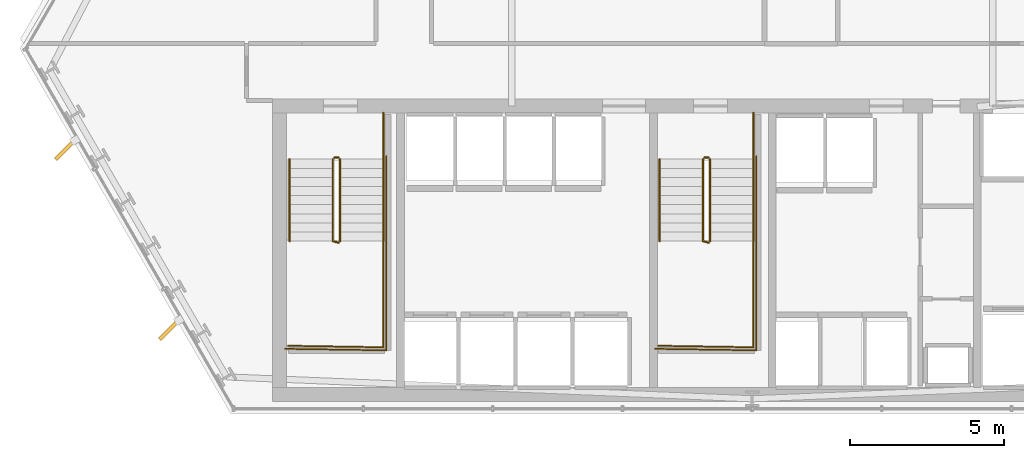
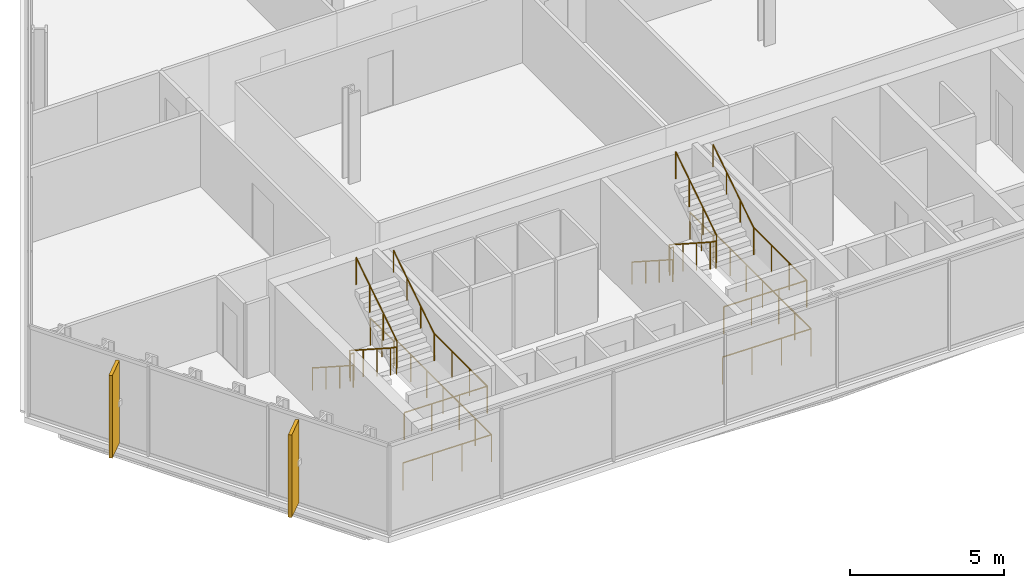
# One storey, part 28 of 31: 16 railings, 2 shading devices.
"""IFC4 building model written with IfcOpenShell, lengths in metres."""

import ifcopenshell
import ifcopenshell.guid

model = None  # the IFC model being written
_history = None  # IfcOwnerHistory: only IFC2X3 demands one
_inside = {}  # id of a spatial element -> (the spatial element, [elements in it])
_under = {}  # id of a project, library or spatial element -> (it, [spatial elements below it])
_declared = {}  # id of a project -> (the project, [libraries it declares])
_typed = {}  # id of a type object -> (the type object, [elements of that type])
_made_of = {}  # id of a material, layer set ... -> (it, [elements and type objects made of it])


def new_model(schema):
    """Start an empty IFC model of exactly this schema.

    Asked for "IFC4X3", IfcOpenShell would pick the latest addendum, in which some entities
    have other attributes; the version numbers below select the first issue.
    IFC2X3 requires an IfcOwnerHistory on every rooted entity: one is made here for all.
    """
    global model, _history
    if schema == "IFC4X3":
        model = ifcopenshell.file(schema_version=(4, 3, 0, 0))
    else:
        model = ifcopenshell.file(schema=schema)
    _inside.clear()
    _under.clear()
    _declared.clear()
    _typed.clear()
    _made_of.clear()
    _history = None
    if model.schema == "IFC2X3":
        org = make("IfcOrganization", Name="unknown")
        user = make(
            "IfcPersonAndOrganization",
            ThePerson=make("IfcPerson", FamilyName="unknown"),
            TheOrganization=org,
        )
        app = make(
            "IfcApplication",
            ApplicationDeveloper=org,
            Version="unknown",
            ApplicationFullName="unknown",
            ApplicationIdentifier="unknown",
        )
        _history = make(
            "IfcOwnerHistory",
            OwningUser=user,
            OwningApplication=app,
            ChangeAction="ADDED",
            CreationDate=0,
        )
    return model


def make(cls, **values):
    """One entity of the class cls with the attributes given. An attribute that is None is left unset."""
    return model.create_entity(
        cls, **{name: value for name, value in values.items() if value is not None}
    )


def rooted(cls, **values):
    """An entity with a GlobalId (a new one), such as an element, a storey or a relation."""
    return make(cls, GlobalId=ifcopenshell.guid.new(), OwnerHistory=_history, **values)


def si_unit(unit_type, name, prefix=None):
    """IfcSIUnit, for example si_unit("LENGTHUNIT", "METRE", prefix="MILLI")."""
    return make("IfcSIUnit", UnitType=unit_type, Prefix=prefix, Name=name)


def assignment(units):
    """IfcUnitAssignment: the units of a project."""
    return None if units is None else make("IfcUnitAssignment", Units=units)


def point(xyz):
    """IfcCartesianPoint."""
    return None if xyz is None else make("IfcCartesianPoint", Coordinates=xyz)


def direction(xyz):
    """IfcDirection."""
    return None if xyz is None else make("IfcDirection", DirectionRatios=xyz)


def frame(location, z_axis=None, x_axis=None):
    """IfcAxis2Placement3D, a coordinate frame: its origin and axes. An axis left out is left unset."""
    return make(
        "IfcAxis2Placement3D",
        Location=point(location),
        Axis=direction(z_axis),
        RefDirection=direction(x_axis),
    )


def frame_2d(location, x_axis=None):
    """IfcAxis2Placement2D, a coordinate frame in the plane: its origin and x axis."""
    return make(
        "IfcAxis2Placement2D", Location=point(location), RefDirection=direction(x_axis)
    )


def origin():
    """The frame at (0, 0, 0) with its axes left unset."""
    return frame((0.0, 0.0, 0.0))


def origin_2d():
    """The frame at (0, 0) in the plane with its x axis left unset."""
    return frame_2d((0.0, 0.0))


def place(relative_to, where):
    """IfcLocalPlacement: puts the frame where relative to a parent placement (None: the world)."""
    return make(
        "IfcLocalPlacement", PlacementRelTo=relative_to, RelativePlacement=where
    )


def context(
    kind, dimensions, precision=None, world=None, true_north=None, identifier=None
):
    """IfcGeometricRepresentationContext, for example the 3D "Model" context."""
    return make(
        "IfcGeometricRepresentationContext",
        ContextIdentifier=identifier,
        ContextType=kind,
        CoordinateSpaceDimension=dimensions,
        Precision=precision,
        WorldCoordinateSystem=world,
        TrueNorth=true_north,
    )


def subcontext(parent, identifier, kind, view, scale=None):
    """IfcGeometricRepresentationSubContext, for example "Body" below "Model"."""
    return make(
        "IfcGeometricRepresentationSubContext",
        ContextIdentifier=identifier,
        ContextType=kind,
        ParentContext=parent,
        TargetScale=scale,
        TargetView=view,
    )


def project(units=None, contexts=None):
    """IfcProject with its units and contexts."""
    return rooted(
        "IfcProject",
        Name="project",
        RepresentationContexts=contexts,
        UnitsInContext=assignment(units),
    )


def spatial(cls, under=None, at=None, **own):
    """A site, building, storey or space (cls), placed at a placement, below another one or the project."""
    s = rooted(cls, ObjectPlacement=at, **own)
    if under is not None:
        _under.setdefault(under.id(), (under, []))[1].append(s)
    return s


def profile(cls, at=None, kind="AREA", **sizes):
    """A parametric profile (cls). Its sizes go by their IFC names, for example OverallWidth=200.0."""
    return make(cls, ProfileType=kind, Position=at, **sizes)


def rectangle(**sizes):
    """IfcRectangleProfileDef."""
    return profile("IfcRectangleProfileDef", **sizes)


def circle(**sizes):
    """IfcCircleProfileDef."""
    return profile("IfcCircleProfileDef", **sizes)


def extrude(swept, where, along, depth):
    """IfcExtrudedAreaSolid: the profile swept, set in the frame where, extruded along a direction by depth."""
    return make(
        "IfcExtrudedAreaSolid",
        SweptArea=swept,
        Position=where,
        ExtrudedDirection=direction(along),
        Depth=depth,
    )


def shape(context_of_items, identifier, shape_type, items):
    """IfcShapeRepresentation: the items that make up one representation, for example the "Body"."""
    return make(
        "IfcShapeRepresentation",
        ContextOfItems=context_of_items,
        RepresentationIdentifier=identifier,
        RepresentationType=shape_type,
        Items=items,
    )


def material(Name=None, Category=None):
    """IfcMaterial."""
    return make("IfcMaterial", Name=Name, Category=Category)


def layer(
    of_material, thickness, ventilated=None, Name=None, Category=None, Priority=None
):
    """IfcMaterialLayer: one layer of a wall or slab, of a material (None: an air gap)."""
    return make(
        "IfcMaterialLayer",
        Material=of_material,
        LayerThickness=thickness,
        IsVentilated=ventilated,
        Name=Name,
        Category=Category,
        Priority=Priority,
    )


def layer_set(layers, Name=None):
    """IfcMaterialLayerSet."""
    return make("IfcMaterialLayerSet", MaterialLayers=layers, LayerSetName=Name)


def made_of(thing, what):
    """Note that an element or type object is made of a material, layer set ...; save() writes the relation."""
    if what is not None:
        _made_of.setdefault(what.id(), (what, []))[1].append(thing)
    return thing


def type_object(cls, material=None, **own):
    """A type object (cls), such as IfcWallType, which elements share."""
    return made_of(rooted(cls, **own), material)


def element(
    cls,
    number,
    at=None,
    inside=None,
    cuts=None,
    type_object=None,
    material=None,
    context=None,
    identifier="Body",
    shape_type=None,
    held_by="IfcProductDefinitionShape",
    body=None,
    shapes=None,
    **own,
):
    """One element of the class cls, such as IfcWall. Its Tag is "e" and its number.

    at: its placement. inside: the storey or other place that contains it. cuts: it is an
    opening in that element (IfcRelVoidsElement). A single representation is given by context,
    identifier, shape_type and body (its items); several are given by shapes. held_by: the class
    of the entity that holds the representations. save() writes the other relations.
    """
    e = rooted(cls, Tag="e%d" % number, ObjectPlacement=at, **own)
    if body is not None:
        shapes = [shape(context, identifier, shape_type, body)]
    if shapes is not None:
        e.Representation = make(held_by, Representations=shapes)
    if inside is not None:
        _inside.setdefault(inside.id(), (inside, []))[1].append(e)
    if cuts is not None:
        rooted(
            "IfcRelVoidsElement", RelatingBuildingElement=cuts, RelatedOpeningElement=e
        )
    if type_object is not None:
        _typed.setdefault(type_object.id(), (type_object, []))[1].append(e)
    return made_of(e, material)


def aggregate(whole, parts):
    """IfcRelAggregates: a whole, such as a stair, and the parts it consists of."""
    return rooted("IfcRelAggregates", RelatingObject=whole, RelatedObjects=parts)


def save(model, path):
    """Write the relations noted so far, then the file.

    IfcRelAggregates (storeys below a building ...), IfcRelContainedInSpatialStructure (elements
    in a storey), IfcRelDefinesByType, IfcRelAssociatesMaterial and IfcRelDeclares: one each for
    every whole, place, type object, material and project.
    """
    for whole, parts in _under.values():
        aggregate(whole, parts)
    for where, things in _inside.values():
        rooted(
            "IfcRelContainedInSpatialStructure",
            RelatedElements=things,
            RelatingStructure=where,
        )
    for kind, things in _typed.values():
        rooted("IfcRelDefinesByType", RelatedObjects=things, RelatingType=kind)
    for what, things in _made_of.values():
        rooted("IfcRelAssociatesMaterial", RelatedObjects=things, RelatingMaterial=what)
    for by, libraries in _declared.values():
        rooted("IfcRelDeclares", RelatingContext=by, RelatedDefinitions=libraries)
    model.write(path)


model = new_model("IFC4")

# Units and contexts
model_context = context("Model", 3, precision=1e-05, world=origin(), true_north=direction((0.0, 1.0)))
body_context = subcontext(model_context, "Body", "Model", "MODEL_VIEW")
ifc_project = project(units=[si_unit("LENGTHUNIT", "METRE"), si_unit("AREAUNIT", "SQUARE_METRE"), si_unit("VOLUMEUNIT", "CUBIC_METRE"), si_unit("PLANEANGLEUNIT", "RADIAN"), si_unit("MASSUNIT", "GRAM", prefix="KILO")], contexts=[model_context])

# Site, building, storey
site_placement = place(None, origin())
site = spatial("IfcSite", under=ifc_project, at=site_placement, CompositionType="ELEMENT")
building_placement = place(site_placement, origin())
building = spatial("IfcBuilding", under=site, at=building_placement, Name="Ndaravel Arena Tower", CompositionType="ELEMENT")
storey_placement = place(building_placement, frame((0.0, 0.0, 100.60009765625)))
storey = spatial("IfcBuildingStorey", under=building, at=storey_placement, Name="L23", CompositionType="ELEMENT", Elevation=100.60009765625)

# Railings
ifc_material_1 = material(Name="Steel S355", Category="steel")
ifc_layer_1 = layer(ifc_material_1, 0.06005859375)
ifc_layer_set_1 = layer_set([ifc_layer_1], Name="Steel S355")
railing_type_1 = type_object("IfcRailingType", Name="RAIL-STAIR-GD1100", PredefinedType="GUARDRAIL", material=ifc_layer_set_1)
railing_1_placement = place(storey_placement, frame((28.39990234375, 13.25, 0.18994140625)))
element("IfcRailing", 1, at=railing_1_placement, inside=storey, type_object=railing_type_1, Name="L23 ST-1 stair guard 1", PredefinedType="GUARDRAIL", context=body_context, shape_type="SweptSolid", body=[
    extrude(circle(Radius=0.02392578125, at=origin_2d()), frame((0.0, 0.0, 1.076171875), z_axis=(0.0, -0.840723540582, 0.54146461409), x_axis=(1.0, 0.0, 0.0)), (0.0, 0.0, 1.0), 3.157958984375),
    extrude(circle(Radius=0.02392578125, at=origin_2d()), frame((0.0, -2.655029296875, 2.7861328125), z_axis=(0.967074537263, -0.25449329928, 0.0), x_axis=(0.25449329928, 0.967074537263, 0.0)), (0.0, 0.0, 1.0), 0.19677734375),
    extrude(circle(Radius=0.02099609375, at=origin_2d()), origin(), (0.0, 0.0, 1.0), 1.052001953125),
    extrude(circle(Radius=0.02099609375, at=origin_2d()), frame((0.0, -0.885009765625, 0.570068359375)), (0.0, 0.0, 1.0), 1.052001953125),
    extrude(circle(Radius=0.02099609375, at=origin_2d()), frame((0.0, -1.77001953125, 1.139892578125)), (0.0, 0.0, 1.0), 1.052001953125),
    extrude(circle(Radius=0.02099609375, at=origin_2d()), frame((0.0, -2.655029296875, 1.7099609375)), (0.0, 0.0, 1.0), 1.052001953125),
    extrude(circle(Radius=0.02099609375, at=origin_2d()), frame((0.190185546875, -2.705078125, 1.7099609375)), (0.0, 0.0, 1.0), 1.052001953125),
])
railing_2_placement = place(storey_placement, frame((30.0400390625, 10.594970703125, 1.89990234375)))
element("IfcRailing", 2, at=railing_2_placement, inside=storey, type_object=railing_type_1, Name="L23 ST-1 stair guard 2", PredefinedType="GUARDRAIL", context=body_context, shape_type="SweptSolid", body=[
    extrude(circle(Radius=0.02392578125, at=origin_2d()), frame((0.0, 0.0, 1.076171875), z_axis=(0.0, -1.0, 0.0), x_axis=(1.0, 0.0, 0.0)), (0.0, 0.0, 1.0), 3.445068359375),
    extrude(circle(Radius=0.02392578125, at=origin_2d()), frame((0.0, -3.445068359375, 1.076171875), z_axis=(-0.999868861343, 0.016194447071, 0.0), x_axis=(-0.016194447071, -0.999868861343, 0.0)), (0.0, 0.0, 1.0), 3.090576171875),
    extrude(circle(Radius=0.02099609375, at=origin_2d()), origin(), (0.0, 0.0, 1.0), 1.052001953125),
    extrude(circle(Radius=0.02099609375, at=origin_2d()), frame((0.0, -1.1484375, 0.0)), (0.0, 0.0, 1.0), 1.052001953125),
    extrude(circle(Radius=0.02099609375, at=origin_2d()), frame((0.0, -2.296630859375, 0.0)), (0.0, 0.0, 1.0), 1.052001953125),
    extrude(circle(Radius=0.02099609375, at=origin_2d()), frame((0.0, -3.445068359375, 0.0)), (0.0, 0.0, 1.0), 1.052001953125),
    extrude(circle(Radius=0.02099609375, at=origin_2d()), frame((-1.030029296875, -3.428466796875, 0.0)), (0.0, 0.0, 1.0), 1.052001953125),
    extrude(circle(Radius=0.02099609375, at=origin_2d()), frame((-2.06005859375, -3.41162109375, 0.0)), (0.0, 0.0, 1.0), 1.052001953125),
    extrude(circle(Radius=0.02099609375, at=origin_2d()), frame((-3.090087890625, -3.39501953125, 0.0)), (0.0, 0.0, 1.0), 1.052001953125),
])
railing_3_placement = place(storey_placement, frame((28.639892578125, 10.594970703125, 2.08984375)))
element("IfcRailing", 3, at=railing_3_placement, inside=storey, type_object=railing_type_1, Name="L23 ST-1 stair guard 3", PredefinedType="GUARDRAIL", context=body_context, shape_type="SweptSolid", body=[
    extrude(circle(Radius=0.02392578125, at=origin_2d()), frame((0.0, 0.0, 1.076171875), z_axis=(0.0, 0.840723540582, 0.54146461409), x_axis=(-1.0, 0.0, 0.0)), (0.0, 0.0, 1.0), 3.157958984375),
    extrude(circle(Radius=0.02099609375, at=origin_2d()), origin(), (0.0, 0.0, 1.0), 1.052001953125),
    extrude(circle(Radius=0.02099609375, at=origin_2d()), frame((0.0, 0.885009765625, 0.570068359375)), (0.0, 0.0, 1.0), 1.052001953125),
    extrude(circle(Radius=0.02099609375, at=origin_2d()), frame((0.0, 1.77001953125, 1.139892578125)), (0.0, 0.0, 1.0), 1.052001953125),
    extrude(circle(Radius=0.02099609375, at=origin_2d()), frame((0.0, 2.655029296875, 1.7099609375)), (0.0, 0.0, 1.0), 1.052001953125),
])
railing_4_placement = place(storey_placement, frame((28.449951171875, 13.300048828125, 0.0)))
element("IfcRailing", 4, at=railing_4_placement, inside=storey, type_object=railing_type_1, Name="L23 ST-1 stair guard 4", PredefinedType="GUARDRAIL", context=body_context, shape_type="SweptSolid", body=[
    extrude(circle(Radius=0.02392578125, at=origin_2d()), frame((0.0, 0.0, 1.076171875), z_axis=(1.0, 0.0, 0.0), x_axis=(0.0, 1.0, 0.0)), (0.0, 0.0, 1.0), 0.14013671875),
    extrude(circle(Radius=0.02099609375, at=origin_2d()), origin(), (0.0, 0.0, 1.0), 1.052001953125),
    extrude(circle(Radius=0.02099609375, at=origin_2d()), frame((0.14013671875, 0.0, 0.0)), (0.0, 0.0, 1.0), 1.052001953125),
])
railing_5_placement = place(storey_placement, frame((30.0400390625, 14.75, 0.0)))
element("IfcRailing", 5, at=railing_5_placement, inside=storey, type_object=railing_type_1, Name="L23 ST-1 stair guard 5", PredefinedType="GUARDRAIL", context=body_context, shape_type="SweptSolid", body=[
    extrude(circle(Radius=0.02392578125, at=origin_2d()), frame((0.0, 0.0, 1.076171875), z_axis=(0.0, -1.0, 0.0), x_axis=(1.0, 0.0, 0.0)), (0.0, 0.0, 1.0), 1.5),
    extrude(circle(Radius=0.02099609375, at=origin_2d()), origin(), (0.0, 0.0, 1.0), 1.052001953125),
    extrude(circle(Radius=0.02099609375, at=origin_2d()), frame((0.0, -0.75, 0.0)), (0.0, 0.0, 1.0), 1.052001953125),
    extrude(circle(Radius=0.02099609375, at=origin_2d()), frame((0.0, -1.5, 0.0)), (0.0, 0.0, 1.0), 1.052001953125),
])
railing_6_placement = place(storey_placement, frame((30.139892578125, 13.35009765625, 0.0)))
element("IfcRailing", 6, at=railing_6_placement, inside=storey, type_object=railing_type_1, Name="L23 ST-1 stair guard 6", PredefinedType="GUARDRAIL", context=body_context, shape_type="SweptSolid", body=[
    extrude(circle(Radius=0.02392578125, at=origin_2d()), frame((0.0, 0.0, 1.076171875), z_axis=(0.0, -1.0, 0.0), x_axis=(1.0, 0.0, 0.0)), (0.0, 0.0, 1.0), 6.300048828125),
    extrude(circle(Radius=0.02392578125, at=origin_2d()), frame((0.0, -6.300048828125, 1.076171875), z_axis=(-0.999884296952, 0.015211597839, 0.0), x_axis=(-0.015211597839, -0.999884296952, 0.0)), (0.0, 0.0, 1.0), 3.290283203125),
    extrude(circle(Radius=0.02099609375, at=origin_2d()), origin(), (0.0, 0.0, 1.0), 1.052001953125),
    extrude(circle(Radius=0.02099609375, at=origin_2d()), frame((0.0, -1.050048828125, 0.0)), (0.0, 0.0, 1.0), 1.052001953125),
    extrude(circle(Radius=0.02099609375, at=origin_2d()), frame((0.0, -2.10009765625, 0.0)), (0.0, 0.0, 1.0), 1.052001953125),
    extrude(circle(Radius=0.02099609375, at=origin_2d()), frame((0.0, -3.14990234375, 0.0)), (0.0, 0.0, 1.0), 1.052001953125),
    extrude(circle(Radius=0.02099609375, at=origin_2d()), frame((0.0, -4.199951171875, 0.0)), (0.0, 0.0, 1.0), 1.052001953125),
    extrude(circle(Radius=0.02099609375, at=origin_2d()), frame((0.0, -5.25, 0.0)), (0.0, 0.0, 1.0), 1.052001953125),
    extrude(circle(Radius=0.02099609375, at=origin_2d()), frame((0.0, -6.300048828125, 0.0)), (0.0, 0.0, 1.0), 1.052001953125),
    extrude(circle(Radius=0.02099609375, at=origin_2d()), frame((-1.0966796875, -6.283447265625, 0.0)), (0.0, 0.0, 1.0), 1.052001953125),
    extrude(circle(Radius=0.02099609375, at=origin_2d()), frame((-2.193115234375, -6.2666015625, 0.0)), (0.0, 0.0, 1.0), 1.052001953125),
    extrude(circle(Radius=0.02099609375, at=origin_2d()), frame((-3.289794921875, -6.25, 0.0)), (0.0, 0.0, 1.0), 1.052001953125),
])
railing_7_placement = place(storey_placement, frame((40.39990234375, 13.25, 0.18994140625)))
element("IfcRailing", 7, at=railing_7_placement, inside=storey, type_object=railing_type_1, Name="L23 ST-2 stair guard 1", PredefinedType="GUARDRAIL", context=body_context, shape_type="SweptSolid", body=[
    extrude(circle(Radius=0.02392578125, at=origin_2d()), frame((0.0, 0.0, 1.076171875), z_axis=(0.0, -0.840723540582, 0.54146461409), x_axis=(1.0, 0.0, 0.0)), (0.0, 0.0, 1.0), 3.157958984375),
    extrude(circle(Radius=0.02392578125, at=origin_2d()), frame((0.0, -2.655029296875, 2.7861328125), z_axis=(0.967074537263, -0.25449329928, 0.0), x_axis=(0.25449329928, 0.967074537263, 0.0)), (0.0, 0.0, 1.0), 0.19677734375),
    extrude(circle(Radius=0.02099609375, at=origin_2d()), origin(), (0.0, 0.0, 1.0), 1.052001953125),
    extrude(circle(Radius=0.02099609375, at=origin_2d()), frame((0.0, -0.885009765625, 0.570068359375)), (0.0, 0.0, 1.0), 1.052001953125),
    extrude(circle(Radius=0.02099609375, at=origin_2d()), frame((0.0, -1.77001953125, 1.139892578125)), (0.0, 0.0, 1.0), 1.052001953125),
    extrude(circle(Radius=0.02099609375, at=origin_2d()), frame((0.0, -2.655029296875, 1.7099609375)), (0.0, 0.0, 1.0), 1.052001953125),
    extrude(circle(Radius=0.02099609375, at=origin_2d()), frame((0.190185546875, -2.705078125, 1.7099609375)), (0.0, 0.0, 1.0), 1.052001953125),
])
railing_8_placement = place(storey_placement, frame((42.0400390625, 10.594970703125, 1.89990234375)))
element("IfcRailing", 8, at=railing_8_placement, inside=storey, type_object=railing_type_1, Name="L23 ST-2 stair guard 2", PredefinedType="GUARDRAIL", context=body_context, shape_type="SweptSolid", body=[
    extrude(circle(Radius=0.02392578125, at=origin_2d()), frame((0.0, 0.0, 1.076171875), z_axis=(0.0, -1.0, 0.0), x_axis=(1.0, 0.0, 0.0)), (0.0, 0.0, 1.0), 3.445068359375),
    extrude(circle(Radius=0.02392578125, at=origin_2d()), frame((0.0, -3.445068359375, 1.076171875), z_axis=(-0.999868861343, 0.016194447071, 0.0), x_axis=(-0.016194447071, -0.999868861343, 0.0)), (0.0, 0.0, 1.0), 3.090576171875),
    extrude(circle(Radius=0.02099609375, at=origin_2d()), origin(), (0.0, 0.0, 1.0), 1.052001953125),
    extrude(circle(Radius=0.02099609375, at=origin_2d()), frame((0.0, -1.1484375, 0.0)), (0.0, 0.0, 1.0), 1.052001953125),
    extrude(circle(Radius=0.02099609375, at=origin_2d()), frame((0.0, -2.296630859375, 0.0)), (0.0, 0.0, 1.0), 1.052001953125),
    extrude(circle(Radius=0.02099609375, at=origin_2d()), frame((0.0, -3.445068359375, 0.0)), (0.0, 0.0, 1.0), 1.052001953125),
    extrude(circle(Radius=0.02099609375, at=origin_2d()), frame((-1.030029296875, -3.428466796875, 0.0)), (0.0, 0.0, 1.0), 1.052001953125),
    extrude(circle(Radius=0.02099609375, at=origin_2d()), frame((-2.06005859375, -3.41162109375, 0.0)), (0.0, 0.0, 1.0), 1.052001953125),
    extrude(circle(Radius=0.02099609375, at=origin_2d()), frame((-3.090087890625, -3.39501953125, 0.0)), (0.0, 0.0, 1.0), 1.052001953125),
])
railing_9_placement = place(storey_placement, frame((40.639892578125, 10.594970703125, 2.08984375)))
element("IfcRailing", 9, at=railing_9_placement, inside=storey, type_object=railing_type_1, Name="L23 ST-2 stair guard 3", PredefinedType="GUARDRAIL", context=body_context, shape_type="SweptSolid", body=[
    extrude(circle(Radius=0.02392578125, at=origin_2d()), frame((0.0, 0.0, 1.076171875), z_axis=(0.0, 0.840723540582, 0.54146461409), x_axis=(-1.0, 0.0, 0.0)), (0.0, 0.0, 1.0), 3.157958984375),
    extrude(circle(Radius=0.02099609375, at=origin_2d()), origin(), (0.0, 0.0, 1.0), 1.052001953125),
    extrude(circle(Radius=0.02099609375, at=origin_2d()), frame((0.0, 0.885009765625, 0.570068359375)), (0.0, 0.0, 1.0), 1.052001953125),
    extrude(circle(Radius=0.02099609375, at=origin_2d()), frame((0.0, 1.77001953125, 1.139892578125)), (0.0, 0.0, 1.0), 1.052001953125),
    extrude(circle(Radius=0.02099609375, at=origin_2d()), frame((0.0, 2.655029296875, 1.7099609375)), (0.0, 0.0, 1.0), 1.052001953125),
])
railing_10_placement = place(storey_placement, frame((40.449951171875, 13.300048828125, 0.0)))
element("IfcRailing", 10, at=railing_10_placement, inside=storey, type_object=railing_type_1, Name="L23 ST-2 stair guard 4", PredefinedType="GUARDRAIL", context=body_context, shape_type="SweptSolid", body=[
    extrude(circle(Radius=0.02392578125, at=origin_2d()), frame((0.0, 0.0, 1.076171875), z_axis=(1.0, 0.0, 0.0), x_axis=(0.0, 1.0, 0.0)), (0.0, 0.0, 1.0), 0.14013671875),
    extrude(circle(Radius=0.02099609375, at=origin_2d()), origin(), (0.0, 0.0, 1.0), 1.052001953125),
    extrude(circle(Radius=0.02099609375, at=origin_2d()), frame((0.14013671875, 0.0, 0.0)), (0.0, 0.0, 1.0), 1.052001953125),
])
railing_11_placement = place(storey_placement, frame((42.0400390625, 14.75, 0.0)))
element("IfcRailing", 11, at=railing_11_placement, inside=storey, type_object=railing_type_1, Name="L23 ST-2 stair guard 5", PredefinedType="GUARDRAIL", context=body_context, shape_type="SweptSolid", body=[
    extrude(circle(Radius=0.02392578125, at=origin_2d()), frame((0.0, 0.0, 1.076171875), z_axis=(0.0, -1.0, 0.0), x_axis=(1.0, 0.0, 0.0)), (0.0, 0.0, 1.0), 1.5),
    extrude(circle(Radius=0.02099609375, at=origin_2d()), origin(), (0.0, 0.0, 1.0), 1.052001953125),
    extrude(circle(Radius=0.02099609375, at=origin_2d()), frame((0.0, -0.75, 0.0)), (0.0, 0.0, 1.0), 1.052001953125),
    extrude(circle(Radius=0.02099609375, at=origin_2d()), frame((0.0, -1.5, 0.0)), (0.0, 0.0, 1.0), 1.052001953125),
])
railing_12_placement = place(storey_placement, frame((42.139892578125, 13.35009765625, 0.0)))
element("IfcRailing", 12, at=railing_12_placement, inside=storey, type_object=railing_type_1, Name="L23 ST-2 stair guard 6", PredefinedType="GUARDRAIL", context=body_context, shape_type="SweptSolid", body=[
    extrude(circle(Radius=0.02392578125, at=origin_2d()), frame((0.0, 0.0, 1.076171875), z_axis=(0.0, -1.0, 0.0), x_axis=(1.0, 0.0, 0.0)), (0.0, 0.0, 1.0), 6.300048828125),
    extrude(circle(Radius=0.02392578125, at=origin_2d()), frame((0.0, -6.300048828125, 1.076171875), z_axis=(-0.999884296952, 0.015211597839, 0.0), x_axis=(-0.015211597839, -0.999884296952, 0.0)), (0.0, 0.0, 1.0), 3.290283203125),
    extrude(circle(Radius=0.02099609375, at=origin_2d()), origin(), (0.0, 0.0, 1.0), 1.052001953125),
    extrude(circle(Radius=0.02099609375, at=origin_2d()), frame((0.0, -1.050048828125, 0.0)), (0.0, 0.0, 1.0), 1.052001953125),
    extrude(circle(Radius=0.02099609375, at=origin_2d()), frame((0.0, -2.10009765625, 0.0)), (0.0, 0.0, 1.0), 1.052001953125),
    extrude(circle(Radius=0.02099609375, at=origin_2d()), frame((0.0, -3.14990234375, 0.0)), (0.0, 0.0, 1.0), 1.052001953125),
    extrude(circle(Radius=0.02099609375, at=origin_2d()), frame((0.0, -4.199951171875, 0.0)), (0.0, 0.0, 1.0), 1.052001953125),
    extrude(circle(Radius=0.02099609375, at=origin_2d()), frame((0.0, -5.25, 0.0)), (0.0, 0.0, 1.0), 1.052001953125),
    extrude(circle(Radius=0.02099609375, at=origin_2d()), frame((0.0, -6.300048828125, 0.0)), (0.0, 0.0, 1.0), 1.052001953125),
    extrude(circle(Radius=0.02099609375, at=origin_2d()), frame((-1.0966796875, -6.283447265625, 0.0)), (0.0, 0.0, 1.0), 1.052001953125),
    extrude(circle(Radius=0.02099609375, at=origin_2d()), frame((-2.193115234375, -6.2666015625, 0.0)), (0.0, 0.0, 1.0), 1.052001953125),
    extrude(circle(Radius=0.02099609375, at=origin_2d()), frame((-3.289794921875, -6.25, 0.0)), (0.0, 0.0, 1.0), 1.052001953125),
])
ifc_material_2 = material(Name="Steel S355", Category="steel")
ifc_layer_2 = layer(ifc_material_2, 0.050048828125)
ifc_layer_set_2 = layer_set([ifc_layer_2], Name="Steel S355")
railing_type_2 = type_object("IfcRailingType", Name="RAIL-STAIR-HR920", PredefinedType="HANDRAIL", material=ifc_layer_set_2)
railing_13_placement = place(storey_placement, frame((27.0, 13.25, 0.18994140625)))
element("IfcRailing", 13, at=railing_13_placement, inside=storey, type_object=railing_type_2, Name="L23 ST-1 stair handrail 1", PredefinedType="HANDRAIL", context=body_context, shape_type="SweptSolid", body=[
    extrude(circle(Radius=0.02392578125, at=origin_2d()), frame((0.0, 0.0, 0.8759765625), z_axis=(0.0, -0.840723540582, 0.54146461409), x_axis=(1.0, 0.0, 0.0)), (0.0, 0.0, 1.0), 3.157958984375),
    extrude(circle(Radius=0.02099609375, at=origin_2d()), origin(), (0.0, 0.0, 1.0), 0.851806640625),
    extrude(circle(Radius=0.02099609375, at=origin_2d()), frame((0.0, -0.885009765625, 0.570068359375)), (0.0, 0.0, 1.0), 0.851806640625),
    extrude(circle(Radius=0.02099609375, at=origin_2d()), frame((0.0, -1.77001953125, 1.139892578125)), (0.0, 0.0, 1.0), 0.851806640625),
    extrude(circle(Radius=0.02099609375, at=origin_2d()), frame((0.0, -2.655029296875, 1.7099609375)), (0.0, 0.0, 1.0), 0.851806640625),
])
railing_14_placement = place(storey_placement, frame((30.0400390625, 10.594970703125, 2.08984375)))
element("IfcRailing", 14, at=railing_14_placement, inside=storey, type_object=railing_type_2, Name="L23 ST-1 stair handrail 2", PredefinedType="HANDRAIL", context=body_context, shape_type="SweptSolid", body=[
    extrude(circle(Radius=0.02392578125, at=origin_2d()), frame((0.0, 0.0, 0.8759765625), z_axis=(0.0, 0.840723540582, 0.54146461409), x_axis=(-1.0, 0.0, 0.0)), (0.0, 0.0, 1.0), 3.157958984375),
    extrude(circle(Radius=0.02099609375, at=origin_2d()), origin(), (0.0, 0.0, 1.0), 0.851806640625),
    extrude(circle(Radius=0.02099609375, at=origin_2d()), frame((0.0, 0.885009765625, 0.570068359375)), (0.0, 0.0, 1.0), 0.851806640625),
    extrude(circle(Radius=0.02099609375, at=origin_2d()), frame((0.0, 1.77001953125, 1.139892578125)), (0.0, 0.0, 1.0), 0.851806640625),
    extrude(circle(Radius=0.02099609375, at=origin_2d()), frame((0.0, 2.655029296875, 1.7099609375)), (0.0, 0.0, 1.0), 0.851806640625),
])
railing_15_placement = place(storey_placement, frame((39.0, 13.25, 0.18994140625)))
element("IfcRailing", 15, at=railing_15_placement, inside=storey, type_object=railing_type_2, Name="L23 ST-2 stair handrail 1", PredefinedType="HANDRAIL", context=body_context, shape_type="SweptSolid", body=[
    extrude(circle(Radius=0.02392578125, at=origin_2d()), frame((0.0, 0.0, 0.8759765625), z_axis=(0.0, -0.840723540582, 0.54146461409), x_axis=(1.0, 0.0, 0.0)), (0.0, 0.0, 1.0), 3.157958984375),
    extrude(circle(Radius=0.02099609375, at=origin_2d()), origin(), (0.0, 0.0, 1.0), 0.851806640625),
    extrude(circle(Radius=0.02099609375, at=origin_2d()), frame((0.0, -0.885009765625, 0.570068359375)), (0.0, 0.0, 1.0), 0.851806640625),
    extrude(circle(Radius=0.02099609375, at=origin_2d()), frame((0.0, -1.77001953125, 1.139892578125)), (0.0, 0.0, 1.0), 0.851806640625),
    extrude(circle(Radius=0.02099609375, at=origin_2d()), frame((0.0, -2.655029296875, 1.7099609375)), (0.0, 0.0, 1.0), 0.851806640625),
])
railing_16_placement = place(storey_placement, frame((42.0400390625, 10.594970703125, 2.08984375)))
element("IfcRailing", 16, at=railing_16_placement, inside=storey, type_object=railing_type_2, Name="L23 ST-2 stair handrail 2", PredefinedType="HANDRAIL", context=body_context, shape_type="SweptSolid", body=[
    extrude(circle(Radius=0.02392578125, at=origin_2d()), frame((0.0, 0.0, 0.8759765625), z_axis=(0.0, 0.840723540582, 0.54146461409), x_axis=(-1.0, 0.0, 0.0)), (0.0, 0.0, 1.0), 3.157958984375),
    extrude(circle(Radius=0.02099609375, at=origin_2d()), origin(), (0.0, 0.0, 1.0), 0.851806640625),
    extrude(circle(Radius=0.02099609375, at=origin_2d()), frame((0.0, 0.885009765625, 0.570068359375)), (0.0, 0.0, 1.0), 0.851806640625),
    extrude(circle(Radius=0.02099609375, at=origin_2d()), frame((0.0, 1.77001953125, 1.139892578125)), (0.0, 0.0, 1.0), 0.851806640625),
    extrude(circle(Radius=0.02099609375, at=origin_2d()), frame((0.0, 2.655029296875, 1.7099609375)), (0.0, 0.0, 1.0), 0.851806640625),
])

# Shading devices
ifc_material_3 = material(Name="Masonry", Category="masonry")
shading_device_type = type_object("IfcShadingDeviceType", Name="SHD-MAZERAS-FIN", PredefinedType="SHUTTER", material=ifc_material_3)
for number, where, z_axis, x_axis, name in (
    (17, (19.73095703125, 13.56201171875, 0.14990234375), (0.0, 0.0, 1.0), (-0.707106781187, -0.707106781187, 0.0), "L23 Mazeras Stone Solar Fin E6.1"),
    (18, (23.1005859375, 7.7255859375, 0.14990234375), (0.0, 0.0, 1.0), (-0.707106781187, -0.707106781187, 0.0), "L23 Mazeras Stone Solar Fin E6.2"),
):
    element("IfcShadingDevice", number, at=place(storey_placement, frame(where, z_axis=z_axis, x_axis=x_axis)), inside=storey, type_object=shading_device_type, Name=name, PredefinedType="SHUTTER", context=body_context, shape_type="SweptSolid", body=[
        extrude(rectangle(XDim=0.89990234375, YDim=0.1201171875, at=origin_2d()), origin(), (0.0, 0.0, 1.0), 3.280029296875),
    ])

save(model, "model.ifc")
